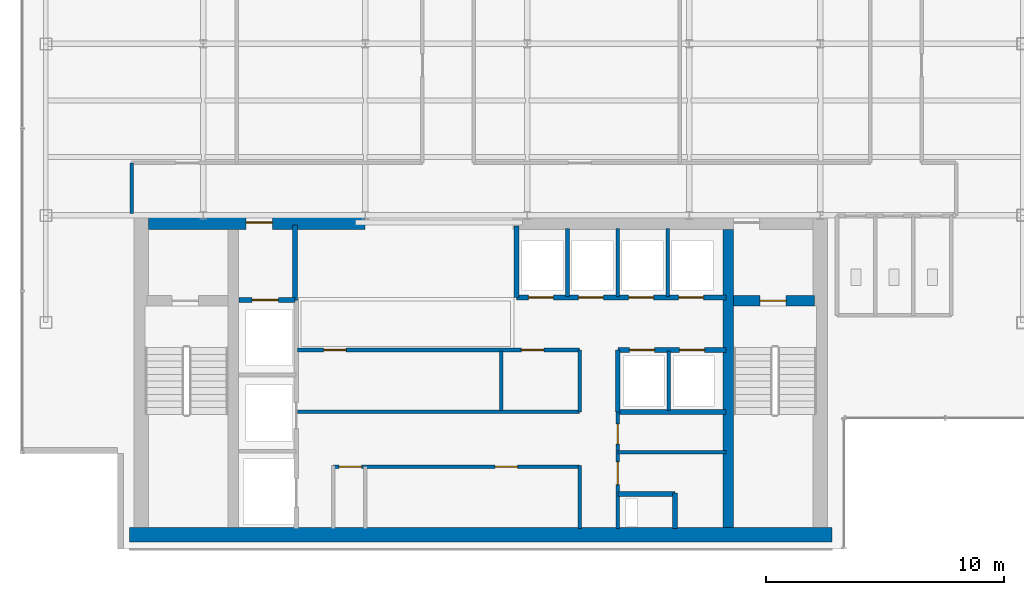
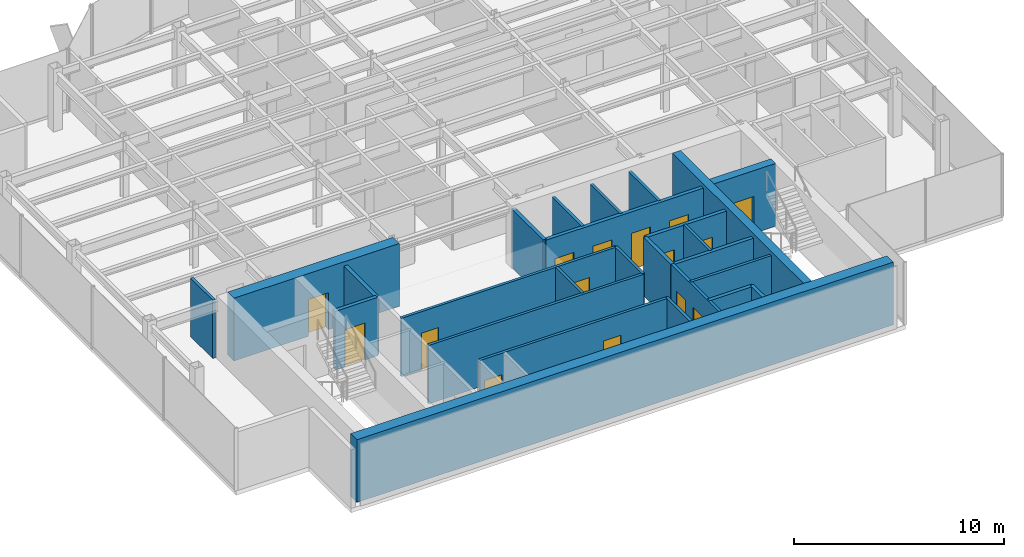
# One storey, part 17 of 22: 26 walls, 15 doors, 15 openings.
"""IFC4 building model written with IfcOpenShell, lengths in metres."""

from ifc_helpers import new_model, si_unit, derived_unit, direction, frame, frame_2d, origin, place, context, subcontext, project, spatial, rectangle, extrude, source, transform, mapped, material, layer, layer_set, type_object, element, fill, save


model = new_model("IFC4")

# Units and contexts
model_context = context("Model", 3, precision=1e-05, world=origin(), true_north=direction((0.0, 1.0)))
body_context = subcontext(model_context, "Body", "Model", "MODEL_VIEW")
ifc_project = project(units=[si_unit("LENGTHUNIT", "METRE"), si_unit("AREAUNIT", "SQUARE_METRE"), si_unit("VOLUMEUNIT", "CUBIC_METRE"), si_unit("PLANEANGLEUNIT", "RADIAN"), si_unit("MASSUNIT", "GRAM", prefix="KILO"), derived_unit("THERMALTRANSMITTANCEUNIT", [(si_unit("POWERUNIT", "WATT"), 1), (si_unit("LENGTHUNIT", "METRE"), -2), (si_unit("THERMODYNAMICTEMPERATUREUNIT", "KELVIN"), -1)])], contexts=[model_context])

# Site, building, storey
site_placement = place(None, origin())
site = spatial("IfcSite", under=ifc_project, at=site_placement, CompositionType="ELEMENT")
building_placement = place(site_placement, origin())
building = spatial("IfcBuilding", under=site, at=building_placement, Name="Skarnbrae Concourse Arena and Tower", CompositionType="ELEMENT")
storey_placement = place(building_placement, frame((0.0, 0.0, 258.800048828125)))
storey = spatial("IfcBuildingStorey", under=building, at=storey_placement, Name="L67", CompositionType="ELEMENT", Elevation=258.800048828125)

# Wall, opening, door
ifc_material_1 = material(Name="Concrete 50 MPa (C50/60)", Category="concrete")
ifc_layer_1 = layer(ifc_material_1, 0.449951171875)
ifc_layer_set_1 = layer_set([ifc_layer_1], Name="Concrete 50 MPa (C50/60)")
wall_type_1 = type_object("IfcWallType", Name="WALL-CORE-450-C50", PredefinedType="SHEAR", material=ifc_layer_set_1)
shared_shape_1 = source(origin(), body_context, "Body", "SweptSolid", [
    extrude(rectangle(XDim=3.389892578125, YDim=0.449951171875, at=frame_2d((1.69482421875, 0.0))), origin(), (0.0, 0.0, 1.0), 3.64990234375),
])
wall_1_placement = place(storey_placement, frame((29.860107421875, 10.419921875, 0.0), z_axis=(0.0, 0.0, 1.0), x_axis=(1.0, 0.0, 0.0)))
wall_1 = element("IfcWall", 1, at=wall_1_placement, inside=storey, type_object=wall_type_1, Name="L67 Rear core shear wall CW-ST2-N", PredefinedType="SHEAR", context=body_context, shape_type="MappedRepresentation", body=[
    mapped(shared_shape_1, transform((0.0, 0.0, 0.0))),
])
opening_1_placement = place(wall_1_placement, frame((1.10009765625, 0.0, 0.0)))
opening_1 = element("IfcOpeningElement", 2, at=opening_1_placement, cuts=wall_1, Name="Opening DT-03", PredefinedType="OPENING", context=body_context, shape_type="SweptSolid", body=[
    extrude(rectangle(XDim=1.10009765625, YDim=2.14990234375, at=frame_2d((0.550048828125, 1.074951171875))), frame((0.0, 0.23486328125, 0.0), z_axis=(0.0, -1.0, 0.0), x_axis=(1.0, 0.0, 0.0)), (0.0, 0.0, 1.0), 0.469970703125),
])
ifc_material_2 = material(Name="Steel CSA G40.21 350W", Category="steel")
door_type_1 = type_object("IfcDoorType", Name="DOOR-FIRE-1100-90M", OperationType="NOTDEFINED", PredefinedType="DOOR", material=ifc_material_2)
shared_shape_2 = source(origin(), body_context, "Body", "SweptSolid", [
    extrude(rectangle(XDim=1.10009765625, YDim=2.14990234375, at=frame_2d((0.550048828125, 1.074951171875))), frame((0.0, 0.02490234375, 0.0), z_axis=(0.0, -1.0, 0.0), x_axis=(1.0, 0.0, 0.0)), (0.0, 0.0, 1.0), 0.050048828125),
])
door_1_placement = place(opening_1_placement, frame((1.10009765625, 0.0, 0.0), z_axis=(0.0, 0.0, 1.0), x_axis=(-1.0, 0.0, 0.0)))
door_1 = element("IfcDoor", 3, at=door_1_placement, inside=storey, type_object=door_type_1, Name="D-2019 Stair ST-2 Door", OperationType="SINGLE_SWING_RIGHT", OverallHeight=2.14990234375, OverallWidth=1.10009765625, PredefinedType="DOOR", context=body_context, shape_type="MappedRepresentation", body=[
    mapped(shared_shape_2, transform((0.0, 0.0, 0.0))),
])
fill(opening_1, door_1)

# Wall
ifc_layer_2 = layer(ifc_material_1, 0.60009765625)
ifc_layer_set_2 = layer_set([ifc_layer_2], Name="Concrete 50 MPa (C50/60)")
wall_type_2 = type_object("IfcWallType", Name="WALL-CORE-600-C50", PredefinedType="SHEAR", material=ifc_layer_set_2)
shared_shape_3 = source(origin(), body_context, "Body", "SweptSolid", [
    extrude(rectangle(XDim=29.5, YDim=0.60009765625, at=frame_2d((14.75, 0.0))), origin(), (0.0, 0.0, 1.0), 3.64990234375),
])
wall_2_placement = place(storey_placement, frame((4.5, 0.60009765625, 0.0), z_axis=(0.0, 0.0, 1.0), x_axis=(1.0, 0.0, 0.0)))
element("IfcWall", 4, at=wall_2_placement, inside=storey, type_object=wall_type_2, Name="L67 Rear core shear wall CW-S", PredefinedType="SHEAR", context=body_context, shape_type="MappedRepresentation", body=[
    mapped(shared_shape_3, transform((0.0, 0.0, 0.0))),
])

# Wall, opening, door
shared_shape_4 = source(origin(), body_context, "Body", "SweptSolid", [
    extrude(rectangle(XDim=9.099853515625, YDim=0.60009765625, at=frame_2d((4.5498046875, 0.0))), origin(), (0.0, 0.0, 1.0), 3.64990234375),
])
wall_3_placement = place(storey_placement, frame((5.300048828125, 13.699951171875, 0.0), z_axis=(0.0, 0.0, 1.0), x_axis=(1.0, 0.0, 0.0)))
wall_3 = element("IfcWall", 5, at=wall_3_placement, inside=storey, type_object=wall_type_2, Name="L67 Rear core shear wall CW-NW", PredefinedType="SHEAR", context=body_context, shape_type="MappedRepresentation", body=[
    mapped(shared_shape_4, transform((0.0, 0.0, 0.0))),
])
opening_2_placement = place(wall_3_placement, frame((4.10009765625, 0.0, 0.0)))
opening_2 = element("IfcOpeningElement", 6, at=opening_2_placement, cuts=wall_3, Name="Opening DT-03", PredefinedType="OPENING", context=body_context, shape_type="SweptSolid", body=[
    extrude(rectangle(XDim=1.10009765625, YDim=2.14990234375, at=frame_2d((0.550048828125, 1.074951171875))), frame((0.0, 0.31005859375, 0.0), z_axis=(0.0, -1.0, 0.0), x_axis=(1.0, 0.0, 0.0)), (0.0, 0.0, 1.0), 0.6201171875),
])
door_2_placement = place(opening_2_placement, origin())
door_2 = element("IfcDoor", 7, at=door_2_placement, inside=storey, type_object=door_type_1, Name="D-2020 Firefighting Lobby Exit Door", OperationType="SINGLE_SWING_RIGHT", OverallHeight=2.14990234375, OverallWidth=1.10009765625, PredefinedType="DOOR", context=body_context, shape_type="MappedRepresentation", body=[
    mapped(shared_shape_2, transform((0.0, 0.0, 0.0))),
])
fill(opening_2, door_2)

# Walls
shared_shape_5 = source(origin(), body_context, "Body", "SweptSolid", [
    extrude(rectangle(XDim=12.5, YDim=0.449951171875, at=frame_2d((6.25, 0.0))), origin(), (0.0, 0.0, 1.0), 3.64990234375),
])
wall_4_placement = place(storey_placement, frame((29.635009765625, 0.89990234375, 0.0), z_axis=(0.0, 0.0, 1.0), x_axis=(0.0, 1.0, 0.0)))
element("IfcWall", 8, at=wall_4_placement, inside=storey, type_object=wall_type_1, Name="L67 Rear core shear wall CW-WEB-E", PredefinedType="SHEAR", context=body_context, shape_type="MappedRepresentation", body=[
    mapped(shared_shape_5, transform((0.0, 0.0, 0.0))),
])
ifc_material_3 = material(Name="Gypsum board on cold-formed steel studs", Category="steel")
ifc_layer_3 = layer(ifc_material_3, 0.199951171875)
ifc_layer_set_3 = layer_set([ifc_layer_3], Name="Gypsum board on cold-formed steel studs")
wall_type_3 = type_object("IfcWallType", Name="WALL-PART-200-2HR", PredefinedType="PARTITIONING", material=ifc_layer_set_3)
shared_shape_6 = source(origin(), body_context, "Body", "SweptSolid", [
    extrude(rectangle(XDim=3.18017578125, YDim=0.199951171875, at=frame_2d((1.590087890625, 0.0))), origin(), (0.0, 0.0, 1.0), 3.39990234375),
])
wall_5_placement = place(storey_placement, frame((11.449951171875, 10.419921875, 0.0), z_axis=(0.0, 0.0, 1.0), x_axis=(0.0, 1.0, 0.0)))
element("IfcWall", 9, at=wall_5_placement, inside=storey, type_object=wall_type_3, Name="L67 Interior partition wall W-L67-FFL-E", PredefinedType="PARTITIONING", context=body_context, shape_type="MappedRepresentation", body=[
    mapped(shared_shape_6, transform((0.0, 0.0, 0.0))),
])

# Wall, opening, door
shared_shape_7 = source(origin(), body_context, "Body", "SweptSolid", [
    extrude(rectangle(XDim=2.349853515625, YDim=0.199951171875, at=frame_2d((1.1748046875, 0.0))), origin(), (0.0, 0.0, 1.0), 3.39990234375),
])
wall_6_placement = place(storey_placement, frame((9.10009765625, 10.449951171875, 0.0), z_axis=(0.0, 0.0, 1.0), x_axis=(1.0, 0.0, 0.0)))
wall_6 = element("IfcWall", 10, at=wall_6_placement, inside=storey, type_object=wall_type_3, Name="L67 Interior partition wall W-L67-FL1-N", PredefinedType="PARTITIONING", context=body_context, shape_type="MappedRepresentation", body=[
    mapped(shared_shape_7, transform((0.0, 0.0, 0.0))),
])
opening_3_placement = place(wall_6_placement, frame((0.550048828125, 0.0, 0.0)))
opening_3 = element("IfcOpeningElement", 11, at=opening_3_placement, cuts=wall_6, Name="Opening LD-01", PredefinedType="OPENING", context=body_context, shape_type="SweptSolid", body=[
    extrude(rectangle(XDim=1.10009765625, YDim=2.14990234375, at=frame_2d((0.550048828125, 1.074951171875))), frame((0.0, 0.10986328125, 0.0), z_axis=(0.0, -1.0, 0.0), x_axis=(1.0, 0.0, 0.0)), (0.0, 0.0, 1.0), 0.219970703125),
])
door_type_2 = type_object("IfcDoorType", Name="DOOR-LIFT-SLIDE-1100", OperationType="SLIDING_TO_LEFT", PredefinedType="DOOR", material=ifc_material_2)
door_3_placement = place(opening_3_placement, origin())
door_3 = element("IfcDoor", 12, at=door_3_placement, inside=storey, type_object=door_type_2, Name="D-2022 Firefighting Lift Landing Door FL-01", OperationType="SLIDING_TO_LEFT", OverallHeight=2.14990234375, OverallWidth=1.10009765625, PredefinedType="DOOR", context=body_context, shape_type="MappedRepresentation", body=[
    mapped(shared_shape_2, transform((0.0, 0.0, 0.0))),
])
fill(opening_3, door_3)

# Walls
shared_shape_8 = source(origin(), body_context, "Body", "SweptSolid", [
    extrude(rectangle(XDim=2.60009765625, YDim=0.199951171875, at=frame_2d((1.300048828125, 0.0))), origin(), (0.0, 0.0, 1.0), 3.39990234375),
])
wall_7_placement = place(storey_placement, frame((25.0, 5.75, 0.0), z_axis=(0.0, 0.0, 1.0), x_axis=(0.0, 1.0, 0.0)))
element("IfcWall", 13, at=wall_7_placement, inside=storey, type_object=wall_type_3, Name="L67 Interior partition wall W-L67-B3S-W", PredefinedType="PARTITIONING", context=body_context, shape_type="MappedRepresentation", body=[
    mapped(shared_shape_8, transform((0.0, 0.0, 0.0))),
])
ifc_layer_4 = layer(ifc_material_3, 0.14990234375)
ifc_layer_set_4 = layer_set([ifc_layer_4], Name="Gypsum board on cold-formed steel studs")
wall_type_4 = type_object("IfcWallType", Name="WALL-PART-150", PredefinedType="PARTITIONING", material=ifc_layer_set_4)
shared_shape_9 = source(origin(), body_context, "Body", "SweptSolid", [
    extrude(rectangle(XDim=2.5, YDim=0.14990234375, at=frame_2d((1.25, 0.0))), origin(), (0.0, 0.0, 1.0), 3.39990234375),
])
for number, where, z_axis, x_axis, name in (
    (14, (20.10009765625, 5.800048828125, 0.0), (0.0, 0.0, 1.0), (0.0, 1.0, 0.0), "L67 Interior partition wall W-L67-B2M-MID"),
    (15, (27.139892578125, 5.800048828125, 0.0), (0.0, 0.0, 1.0), (0.0, 1.0, 0.0), "L67 Interior partition wall W-L67-B3S-P1"),
):
    element("IfcWall", number, at=place(storey_placement, frame(where, z_axis=z_axis, x_axis=x_axis)), inside=storey, type_object=wall_type_4, Name=name, PredefinedType="PARTITIONING", context=body_context, shape_type="MappedRepresentation", body=[
        mapped(shared_shape_9, transform((0.0, 0.0, 0.0))),
    ])

# Wall, openings, doors
shared_shape_10 = source(origin(), body_context, "Body", "SweptSolid", [
    extrude(rectangle(XDim=8.800048828125, YDim=0.199951171875, at=frame_2d((4.39990234375, 0.0))), origin(), (0.0, 0.0, 1.0), 3.39990234375),
])
wall_8_placement = place(storey_placement, frame((20.75, 10.550048828125, 0.0), z_axis=(0.0, 0.0, 1.0), x_axis=(1.0, 0.0, 0.0)))
wall_8 = element("IfcWall", 16, at=wall_8_placement, inside=storey, type_object=wall_type_3, Name="L67 Interior partition wall W-L67-B3N-S", PredefinedType="PARTITIONING", context=body_context, shape_type="MappedRepresentation", body=[
    mapped(shared_shape_10, transform((0.0, 0.0, 0.0))),
])
opening_4_placement = place(wall_8_placement, frame((0.5, 0.0, 0.0)))
opening_4 = element("IfcOpeningElement", 17, at=opening_4_placement, cuts=wall_8, Name="Opening LD-04", PredefinedType="OPENING", context=body_context, shape_type="SweptSolid", body=[
    extrude(rectangle(XDim=1.050048828125, YDim=2.14990234375, at=frame_2d((0.52490234375, 1.074951171875))), frame((0.0, 0.10986328125, 0.0), z_axis=(0.0, -1.0, 0.0), x_axis=(1.0, 0.0, 0.0)), (0.0, 0.0, 1.0), 0.219970703125),
])
opening_5_placement = place(wall_8_placement, frame((2.60009765625, 0.0, 0.0)))
opening_5 = element("IfcOpeningElement", 18, at=opening_5_placement, cuts=wall_8, Name="Opening LD-04", PredefinedType="OPENING", context=body_context, shape_type="SweptSolid", body=[
    extrude(rectangle(XDim=1.050048828125, YDim=2.14990234375, at=frame_2d((0.52490234375, 1.074951171875))), frame((0.0, 0.10986328125, 0.0), z_axis=(0.0, -1.0, 0.0), x_axis=(1.0, 0.0, 0.0)), (0.0, 0.0, 1.0), 0.219970703125),
])
opening_6_placement = place(wall_8_placement, frame((4.699951171875, 0.0, 0.0)))
opening_6 = element("IfcOpeningElement", 19, at=opening_6_placement, cuts=wall_8, Name="Opening LD-04", PredefinedType="OPENING", context=body_context, shape_type="SweptSolid", body=[
    extrude(rectangle(XDim=1.050048828125, YDim=2.14990234375, at=frame_2d((0.52490234375, 1.074951171875))), frame((0.0, 0.10986328125, 0.0), z_axis=(0.0, -1.0, 0.0), x_axis=(1.0, 0.0, 0.0)), (0.0, 0.0, 1.0), 0.219970703125),
])
opening_7_placement = place(wall_8_placement, frame((6.800048828125, 0.0, 0.0)))
opening_7 = element("IfcOpeningElement", 20, at=opening_7_placement, cuts=wall_8, Name="Opening LD-04", PredefinedType="OPENING", context=body_context, shape_type="SweptSolid", body=[
    extrude(rectangle(XDim=1.050048828125, YDim=2.14990234375, at=frame_2d((0.52490234375, 1.074951171875))), frame((0.0, 0.10986328125, 0.0), z_axis=(0.0, -1.0, 0.0), x_axis=(1.0, 0.0, 0.0)), (0.0, 0.0, 1.0), 0.219970703125),
])
ifc_material_4 = material(Name="Bronze anodised aluminium 6063-T6", Category="aluminium")
door_type_3 = type_object("IfcDoorType", Name="DOOR-LIFT-SLIDE-1050H", OperationType="SLIDING_TO_LEFT", PredefinedType="DOOR", material=ifc_material_4)
shared_shape_11 = source(origin(), body_context, "Body", "SweptSolid", [
    extrude(rectangle(XDim=1.050048828125, YDim=2.14990234375, at=frame_2d((0.52490234375, 1.074951171875))), frame((0.0, 0.02490234375, 0.0), z_axis=(0.0, -1.0, 0.0), x_axis=(1.0, 0.0, 0.0)), (0.0, 0.0, 1.0), 0.050048828125),
])
door_4_placement = place(opening_4_placement, frame((1.050048828125, 0.0, 0.0), z_axis=(0.0, 0.0, 1.0), x_axis=(-1.0, 0.0, 0.0)))
door_4 = element("IfcDoor", 21, at=door_4_placement, inside=storey, type_object=door_type_3, Name="D-2029 Passenger Lift Landing Door PL-3A", OperationType="SLIDING_TO_LEFT", OverallHeight=2.14990234375, OverallWidth=1.050048828125, PredefinedType="DOOR", context=body_context, shape_type="MappedRepresentation", body=[
    mapped(shared_shape_11, transform((0.0, 0.0, 0.0))),
])
fill(opening_4, door_4)
door_5_placement = place(opening_5_placement, frame((1.050048828125, 0.0, 0.0), z_axis=(0.0, 0.0, 1.0), x_axis=(-1.0, 0.0, 0.0)))
door_5 = element("IfcDoor", 22, at=door_5_placement, inside=storey, type_object=door_type_3, Name="D-2030 Passenger Lift Landing Door PL-3B", OperationType="SLIDING_TO_LEFT", OverallHeight=2.14990234375, OverallWidth=1.050048828125, PredefinedType="DOOR", context=body_context, shape_type="MappedRepresentation", body=[
    mapped(shared_shape_11, transform((0.0, 0.0, 0.0))),
])
fill(opening_5, door_5)
door_6_placement = place(opening_6_placement, frame((1.050048828125, 0.0, 0.0), z_axis=(0.0, 0.0, 1.0), x_axis=(-1.0, 0.0, 0.0)))
door_6 = element("IfcDoor", 23, at=door_6_placement, inside=storey, type_object=door_type_3, Name="D-2031 Passenger Lift Landing Door PL-3C", OperationType="SLIDING_TO_LEFT", OverallHeight=2.14990234375, OverallWidth=1.050048828125, PredefinedType="DOOR", context=body_context, shape_type="MappedRepresentation", body=[
    mapped(shared_shape_11, transform((0.0, 0.0, 0.0))),
])
fill(opening_6, door_6)
door_7_placement = place(opening_7_placement, frame((1.050048828125, 0.0, 0.0), z_axis=(0.0, 0.0, 1.0), x_axis=(-1.0, 0.0, 0.0)))
door_7 = element("IfcDoor", 24, at=door_7_placement, inside=storey, type_object=door_type_3, Name="D-2032 Passenger Lift Landing Door PL-3D", OperationType="SLIDING_TO_LEFT", OverallHeight=2.14990234375, OverallWidth=1.050048828125, PredefinedType="DOOR", context=body_context, shape_type="MappedRepresentation", body=[
    mapped(shared_shape_11, transform((0.0, 0.0, 0.0))),
])
fill(opening_7, door_7)

# Walls
shared_shape_12 = source(origin(), body_context, "Body", "SweptSolid", [
    extrude(rectangle(XDim=3.0, YDim=0.199951171875, at=frame_2d((1.5, 0.0))), origin(), (0.0, 0.0, 1.0), 3.39990234375),
])
wall_9_placement = place(storey_placement, frame((20.75, 10.550048828125, 0.0), z_axis=(0.0, 0.0, 1.0), x_axis=(0.0, 1.0, 0.0)))
element("IfcWall", 25, at=wall_9_placement, inside=storey, type_object=wall_type_3, Name="L67 Interior partition wall W-L67-B3N-W", PredefinedType="PARTITIONING", context=body_context, shape_type="MappedRepresentation", body=[
    mapped(shared_shape_12, transform((0.0, 0.0, 0.0))),
])
shared_shape_13 = source(origin(), body_context, "Body", "SweptSolid", [
    extrude(rectangle(XDim=2.849853515625, YDim=0.14990234375, at=frame_2d((1.4248046875, 0.0))), origin(), (0.0, 0.0, 1.0), 3.39990234375),
])
for number, where, z_axis, x_axis, name in (
    (26, (22.889892578125, 10.60009765625, 0.0), (0.0, 0.0, 1.0), (0.0, 1.0, 0.0), "L67 Interior partition wall W-L67-B3N-P1"),
    (27, (24.989990234375, 10.60009765625, 0.0), (0.0, 0.0, 1.0), (0.0, 1.0, 0.0), "L67 Interior partition wall W-L67-B3N-P2"),
    (28, (27.090087890625, 10.60009765625, 0.0), (0.0, 0.0, 1.0), (0.0, 1.0, 0.0), "L67 Interior partition wall W-L67-B3N-P3"),
):
    element("IfcWall", number, at=place(storey_placement, frame(where, z_axis=z_axis, x_axis=x_axis)), inside=storey, type_object=wall_type_4, Name=name, PredefinedType="PARTITIONING", context=body_context, shape_type="MappedRepresentation", body=[
        mapped(shared_shape_13, transform((0.0, 0.0, 0.0))),
    ])

# Wall, openings, doors
shared_shape_14 = source(origin(), body_context, "Body", "SweptSolid", [
    extrude(rectangle(XDim=4.550048828125, YDim=0.199951171875, at=frame_2d((2.27490234375, 0.0))), origin(), (0.0, 0.0, 1.0), 3.39990234375),
])
wall_10_placement = place(storey_placement, frame((25.0, 8.35009765625, 0.0), z_axis=(0.0, 0.0, 1.0), x_axis=(1.0, 0.0, 0.0)))
wall_10 = element("IfcWall", 29, at=wall_10_placement, inside=storey, type_object=wall_type_3, Name="L67 Interior partition wall W-L67-B3S-N", PredefinedType="PARTITIONING", context=body_context, shape_type="MappedRepresentation", body=[
    mapped(shared_shape_14, transform((0.0, 0.0, 0.0))),
])
opening_8_placement = place(wall_10_placement, frame((0.5, 0.0, 0.0)))
opening_8 = element("IfcOpeningElement", 30, at=opening_8_placement, cuts=wall_10, Name="Opening LD-04", PredefinedType="OPENING", context=body_context, shape_type="SweptSolid", body=[
    extrude(rectangle(XDim=1.050048828125, YDim=2.14990234375, at=frame_2d((0.52490234375, 1.074951171875))), frame((0.0, 0.10986328125, 0.0), z_axis=(0.0, -1.0, 0.0), x_axis=(1.0, 0.0, 0.0)), (0.0, 0.0, 1.0), 0.219970703125),
])
opening_9_placement = place(wall_10_placement, frame((2.60009765625, 0.0, 0.0)))
opening_9 = element("IfcOpeningElement", 31, at=opening_9_placement, cuts=wall_10, Name="Opening LD-04", PredefinedType="OPENING", context=body_context, shape_type="SweptSolid", body=[
    extrude(rectangle(XDim=1.050048828125, YDim=2.14990234375, at=frame_2d((0.52490234375, 1.074951171875))), frame((0.0, 0.10986328125, 0.0), z_axis=(0.0, -1.0, 0.0), x_axis=(1.0, 0.0, 0.0)), (0.0, 0.0, 1.0), 0.219970703125),
])
door_8_placement = place(opening_8_placement, origin())
door_8 = element("IfcDoor", 32, at=door_8_placement, inside=storey, type_object=door_type_3, Name="D-2033 Passenger Lift Landing Door PL-3E", OperationType="SLIDING_TO_LEFT", OverallHeight=2.14990234375, OverallWidth=1.050048828125, PredefinedType="DOOR", context=body_context, shape_type="MappedRepresentation", body=[
    mapped(shared_shape_11, transform((0.0, 0.0, 0.0))),
])
fill(opening_8, door_8)
door_9_placement = place(opening_9_placement, origin())
door_9 = element("IfcDoor", 33, at=door_9_placement, inside=storey, type_object=door_type_3, Name="D-2034 Passenger Lift Landing Door PL-3F", OperationType="SLIDING_TO_LEFT", OverallHeight=2.14990234375, OverallWidth=1.050048828125, PredefinedType="DOOR", context=body_context, shape_type="MappedRepresentation", body=[
    mapped(shared_shape_11, transform((0.0, 0.0, 0.0))),
])
fill(opening_9, door_9)

# Wall
wall_11_placement = place(storey_placement, frame((25.0, 5.75, 0.0), z_axis=(0.0, 0.0, 1.0), x_axis=(1.0, 0.0, 0.0)))
element("IfcWall", 34, at=wall_11_placement, inside=storey, type_object=wall_type_3, Name="L67 Interior partition wall W-L67-B3S-S", PredefinedType="PARTITIONING", context=body_context, shape_type="MappedRepresentation", body=[
    mapped(shared_shape_14, transform((0.0, 0.0, 0.0))),
])

# Wall, openings, doors
ifc_layer_5 = layer(ifc_material_3, 0.14990234375)
ifc_layer_set_5 = layer_set([ifc_layer_5], Name="Gypsum board on cold-formed steel studs")
wall_type_5 = type_object("IfcWallType", Name="WALL-PART-150-1HR", PredefinedType="PARTITIONING", material=ifc_layer_set_5)
shared_shape_15 = source(origin(), body_context, "Body", "SweptSolid", [
    extrude(rectangle(XDim=4.89990234375, YDim=0.14990234375, at=frame_2d((2.449951171875, 0.0))), origin(), (0.0, 0.0, 1.0), 3.39990234375),
])
wall_12_placement = place(storey_placement, frame((25.0, 0.85009765625, 0.0), z_axis=(0.0, 0.0, 1.0), x_axis=(0.0, 1.0, 0.0)))
wall_12 = element("IfcWall", 35, at=wall_12_placement, inside=storey, type_object=wall_type_5, Name="L67 Interior partition wall W-L67-CSV-W", PredefinedType="PARTITIONING", context=body_context, shape_type="MappedRepresentation", body=[
    mapped(shared_shape_15, transform((0.0, 0.0, 0.0))),
])
opening_10_placement = place(wall_12_placement, frame((1.85009765625, 0.0, 0.0)))
opening_10 = element("IfcOpeningElement", 36, at=opening_10_placement, cuts=wall_12, Name="Opening DT-04", PredefinedType="OPENING", context=body_context, shape_type="SweptSolid", body=[
    extrude(rectangle(XDim=0.949951171875, YDim=2.14990234375, at=frame_2d((0.47509765625, 1.074951171875))), frame((0.0, 0.0849609375, 0.0), z_axis=(0.0, -1.0, 0.0), x_axis=(1.0, 0.0, 0.0)), (0.0, 0.0, 1.0), 0.169921875),
])
opening_11_placement = place(wall_12_placement, frame((3.550048828125, 0.0, 0.0)))
opening_11 = element("IfcOpeningElement", 37, at=opening_11_placement, cuts=wall_12, Name="Opening DT-08", PredefinedType="OPENING", context=body_context, shape_type="SweptSolid", body=[
    extrude(rectangle(XDim=0.85009765625, YDim=2.14990234375, at=frame_2d((0.425048828125, 1.074951171875))), frame((0.0, 0.0849609375, 0.0), z_axis=(0.0, -1.0, 0.0), x_axis=(1.0, 0.0, 0.0)), (0.0, 0.0, 1.0), 0.169921875),
])
door_type_4 = type_object("IfcDoorType", Name="DOOR-INT-950-45M", OperationType="NOTDEFINED", PredefinedType="DOOR", material=ifc_material_2)
shared_shape_16 = source(origin(), body_context, "Body", "SweptSolid", [
    extrude(rectangle(XDim=0.949951171875, YDim=2.14990234375, at=frame_2d((0.47509765625, 1.074951171875))), frame((0.0, 0.02490234375, 0.0), z_axis=(0.0, -1.0, 0.0), x_axis=(1.0, 0.0, 0.0)), (0.0, 0.0, 1.0), 0.050048828125),
])
door_10_placement = place(opening_10_placement, origin())
door_10 = element("IfcDoor", 38, at=door_10_placement, inside=storey, type_object=door_type_4, Name="D-2035 Core Staff WC Door", OperationType="SINGLE_SWING_RIGHT", OverallHeight=2.14990234375, OverallWidth=0.949951171875, PredefinedType="DOOR", context=body_context, shape_type="MappedRepresentation", body=[
    mapped(shared_shape_16, transform((0.0, 0.0, 0.0))),
])
fill(opening_10, door_10)
door_type_5 = type_object("IfcDoorType", Name="DOOR-INT-850-45M", OperationType="NOTDEFINED", PredefinedType="DOOR", material=ifc_material_2)
shared_shape_17 = source(origin(), body_context, "Body", "SweptSolid", [
    extrude(rectangle(XDim=0.85009765625, YDim=2.14990234375, at=frame_2d((0.425048828125, 1.074951171875))), frame((0.0, 0.02490234375, 0.0), z_axis=(0.0, -1.0, 0.0), x_axis=(1.0, 0.0, 0.0)), (0.0, 0.0, 1.0), 0.050048828125),
])
door_11_placement = place(opening_11_placement, origin())
door_11 = element("IfcDoor", 39, at=door_11_placement, inside=storey, type_object=door_type_5, Name="D-2036 IT Patch Room Door", OperationType="SINGLE_SWING_LEFT", OverallHeight=2.14990234375, OverallWidth=0.85009765625, PredefinedType="DOOR", context=body_context, shape_type="MappedRepresentation", body=[
    mapped(shared_shape_17, transform((0.0, 0.0, 0.0))),
])
fill(opening_11, door_11)

# Walls
shared_shape_18 = source(origin(), body_context, "Body", "SweptSolid", [
    extrude(rectangle(XDim=2.39990234375, YDim=0.199951171875, at=frame_2d((1.199951171875, 0.0))), origin(), (0.0, 0.0, 1.0), 3.39990234375),
])
wall_13_placement = place(storey_placement, frame((25.0, 2.300048828125, 0.0), z_axis=(0.0, 0.0, 1.0), x_axis=(1.0, 0.0, 0.0)))
element("IfcWall", 40, at=wall_13_placement, inside=storey, type_object=wall_type_3, Name="L67 Interior partition wall W-L67-MEP-N", PredefinedType="PARTITIONING", context=body_context, shape_type="MappedRepresentation", body=[
    mapped(shared_shape_18, transform((0.0, 0.0, 0.0))),
])
shared_shape_19 = source(origin(), body_context, "Body", "SweptSolid", [
    extrude(rectangle(XDim=1.5, YDim=0.199951171875, at=frame_2d((0.75, 0.0))), origin(), (0.0, 0.0, 1.0), 3.39990234375),
])
wall_14_placement = place(storey_placement, frame((27.39990234375, 0.85009765625, 0.0), z_axis=(0.0, 0.0, 1.0), x_axis=(0.0, 1.0, 0.0)))
element("IfcWall", 41, at=wall_14_placement, inside=storey, type_object=wall_type_3, Name="L67 Interior partition wall W-L67-MEP-E", PredefinedType="PARTITIONING", context=body_context, shape_type="MappedRepresentation", body=[
    mapped(shared_shape_19, transform((0.0, 0.0, 0.0))),
])
shared_shape_20 = source(origin(), body_context, "Body", "SweptSolid", [
    extrude(rectangle(XDim=4.550048828125, YDim=0.14990234375, at=frame_2d((2.27490234375, 0.0))), origin(), (0.0, 0.0, 1.0), 3.39990234375),
])
wall_15_placement = place(storey_placement, frame((25.0, 4.050048828125, 0.0), z_axis=(0.0, 0.0, 1.0), x_axis=(1.0, 0.0, 0.0)))
element("IfcWall", 42, at=wall_15_placement, inside=storey, type_object=wall_type_4, Name="L67 Interior partition wall W-L67-CSV-H2", PredefinedType="PARTITIONING", context=body_context, shape_type="MappedRepresentation", body=[
    mapped(shared_shape_20, transform((0.0, 0.0, 0.0))),
])
shared_shape_21 = source(origin(), body_context, "Body", "SweptSolid", [
    extrude(rectangle(XDim=2.64990234375, YDim=0.14990234375, at=frame_2d((1.324951171875, 0.0))), origin(), (0.0, 0.0, 1.0), 3.39990234375),
])
wall_16_placement = place(storey_placement, frame((23.39990234375, 0.85009765625, 0.0), z_axis=(0.0, 0.0, 1.0), x_axis=(0.0, 1.0, 0.0)))
element("IfcWall", 43, at=wall_16_placement, inside=storey, type_object=wall_type_5, Name="L67 Interior partition wall W-L67-B1M-E", PredefinedType="PARTITIONING", context=body_context, shape_type="MappedRepresentation", body=[
    mapped(shared_shape_21, transform((0.0, 0.0, 0.0))),
])

# Wall, openings, doors
shared_shape_22 = source(origin(), body_context, "Body", "SweptSolid", [
    extrude(rectangle(XDim=10.349853515625, YDim=0.14990234375, at=frame_2d((5.1748046875, 0.0))), origin(), (0.0, 0.0, 1.0), 3.39990234375),
])
wall_17_placement = place(storey_placement, frame((13.050048828125, 3.449951171875, 0.0), z_axis=(0.0, 0.0, 1.0), x_axis=(1.0, 0.0, 0.0)))
wall_17 = element("IfcWall", 44, at=wall_17_placement, inside=storey, type_object=wall_type_5, Name="L67 Interior partition wall W-L67-B1M-N", PredefinedType="PARTITIONING", context=body_context, shape_type="MappedRepresentation", body=[
    mapped(shared_shape_22, transform((0.0, 0.0, 0.0))),
])
opening_12_placement = place(wall_17_placement, frame((0.25, 0.0, 0.0)))
opening_12 = element("IfcOpeningElement", 45, at=opening_12_placement, cuts=wall_17, Name="Opening DT-04", PredefinedType="OPENING", context=body_context, shape_type="SweptSolid", body=[
    extrude(rectangle(XDim=0.949951171875, YDim=2.14990234375, at=frame_2d((0.47509765625, 1.074951171875))), frame((0.0, 0.0849609375, 0.0), z_axis=(0.0, -1.0, 0.0), x_axis=(1.0, 0.0, 0.0)), (0.0, 0.0, 1.0), 0.169921875),
])
opening_13_placement = place(wall_17_placement, frame((6.800048828125, 0.0, 0.0)))
opening_13 = element("IfcOpeningElement", 46, at=opening_13_placement, cuts=wall_17, Name="Opening DT-04", PredefinedType="OPENING", context=body_context, shape_type="SweptSolid", body=[
    extrude(rectangle(XDim=0.949951171875, YDim=2.14990234375, at=frame_2d((0.47509765625, 1.074951171875))), frame((0.0, 0.0849609375, 0.0), z_axis=(0.0, -1.0, 0.0), x_axis=(1.0, 0.0, 0.0)), (0.0, 0.0, 1.0), 0.169921875),
])
door_12_placement = place(opening_12_placement, origin())
door_12 = element("IfcDoor", 47, at=door_12_placement, inside=storey, type_object=door_type_4, Name="D-2025 First Aid Room Door", OperationType="SINGLE_SWING_LEFT", OverallHeight=2.14990234375, OverallWidth=0.949951171875, PredefinedType="DOOR", context=body_context, shape_type="MappedRepresentation", body=[
    mapped(shared_shape_16, transform((0.0, 0.0, 0.0))),
])
fill(opening_12, door_12)
door_13_placement = place(opening_13_placement, origin())
door_13 = element("IfcDoor", 48, at=door_13_placement, inside=storey, type_object=door_type_4, Name="D-2026 Archive Room Door", OperationType="SINGLE_SWING_RIGHT", OverallHeight=2.14990234375, OverallWidth=0.949951171875, PredefinedType="DOOR", context=body_context, shape_type="MappedRepresentation", body=[
    mapped(shared_shape_16, transform((0.0, 0.0, 0.0))),
])
fill(opening_13, door_13)

# Walls
shared_shape_23 = source(origin(), body_context, "Body", "SweptSolid", [
    extrude(rectangle(XDim=2.119873046875, YDim=0.14990234375, at=frame_2d((1.06005859375, 0.0))), origin(), (0.0, 0.0, 1.0), 3.39990234375),
])
wall_18_placement = place(storey_placement, frame((4.60009765625, 14.080078125, 0.0), z_axis=(0.0, 0.0, 1.0), x_axis=(0.0, 1.0, 0.0)))
element("IfcWall", 49, at=wall_18_placement, inside=storey, type_object=wall_type_5, Name="L67 Interior partition wall W-L67-COR-01", PredefinedType="PARTITIONING", context=body_context, shape_type="MappedRepresentation", body=[
    mapped(shared_shape_23, transform((0.0, 0.0, 0.0))),
])
shared_shape_24 = source(origin(), body_context, "Body", "SweptSolid", [
    extrude(rectangle(XDim=11.849853515625, YDim=0.14990234375, at=frame_2d((5.9248046875, 0.0))), origin(), (0.0, 0.0, 1.0), 3.39990234375),
])
wall_19_placement = place(storey_placement, frame((11.550048828125, 5.75, 0.0), z_axis=(0.0, 0.0, 1.0), x_axis=(1.0, 0.0, 0.0)))
element("IfcWall", 50, at=wall_19_placement, inside=storey, type_object=wall_type_5, Name="L67 Interior partition wall W-L67-B2M-S", PredefinedType="PARTITIONING", context=body_context, shape_type="MappedRepresentation", body=[
    mapped(shared_shape_24, transform((0.0, 0.0, 0.0))),
])

# Wall, openings, doors
wall_20_placement = place(storey_placement, frame((11.550048828125, 8.35009765625, 0.0), z_axis=(0.0, 0.0, 1.0), x_axis=(1.0, 0.0, 0.0)))
wall_20 = element("IfcWall", 51, at=wall_20_placement, inside=storey, type_object=wall_type_5, Name="L67 Interior partition wall W-L67-B2M-N", PredefinedType="PARTITIONING", context=body_context, shape_type="MappedRepresentation", body=[
    mapped(shared_shape_24, transform((0.0, 0.0, 0.0))),
])
opening_14_placement = place(wall_20_placement, frame((1.10009765625, 0.0, 0.0)))
opening_14 = element("IfcOpeningElement", 52, at=opening_14_placement, cuts=wall_20, Name="Opening DT-04", PredefinedType="OPENING", context=body_context, shape_type="SweptSolid", body=[
    extrude(rectangle(XDim=0.949951171875, YDim=2.14990234375, at=frame_2d((0.47509765625, 1.074951171875))), frame((0.0, 0.0849609375, 0.0), z_axis=(0.0, -1.0, 0.0), x_axis=(1.0, 0.0, 0.0)), (0.0, 0.0, 1.0), 0.169921875),
])
opening_15_placement = place(wall_20_placement, frame((9.39990234375, 0.0, 0.0)))
opening_15 = element("IfcOpeningElement", 53, at=opening_15_placement, cuts=wall_20, Name="Opening DT-04", PredefinedType="OPENING", context=body_context, shape_type="SweptSolid", body=[
    extrude(rectangle(XDim=0.949951171875, YDim=2.14990234375, at=frame_2d((0.47509765625, 1.074951171875))), frame((0.0, 0.0849609375, 0.0), z_axis=(0.0, -1.0, 0.0), x_axis=(1.0, 0.0, 0.0)), (0.0, 0.0, 1.0), 0.169921875),
])
door_14_placement = place(opening_14_placement, origin())
door_14 = element("IfcDoor", 54, at=door_14_placement, inside=storey, type_object=door_type_4, Name="D-2027 High-Zone Data Door", OperationType="SINGLE_SWING_RIGHT", OverallHeight=2.14990234375, OverallWidth=0.949951171875, PredefinedType="DOOR", context=body_context, shape_type="MappedRepresentation", body=[
    mapped(shared_shape_16, transform((0.0, 0.0, 0.0))),
])
fill(opening_14, door_14)
door_15_placement = place(opening_15_placement, origin())
door_15 = element("IfcDoor", 55, at=door_15_placement, inside=storey, type_object=door_type_4, Name="D-2028 Reprographics Door", OperationType="SINGLE_SWING_LEFT", OverallHeight=2.14990234375, OverallWidth=0.949951171875, PredefinedType="DOOR", context=body_context, shape_type="MappedRepresentation", body=[
    mapped(shared_shape_16, transform((0.0, 0.0, 0.0))),
])
fill(opening_15, door_15)

# Wall
shared_shape_25 = source(origin(), body_context, "Body", "SweptSolid", [
    extrude(rectangle(XDim=2.60009765625, YDim=0.14990234375, at=frame_2d((1.300048828125, 0.0))), origin(), (0.0, 0.0, 1.0), 3.39990234375),
])
wall_21_placement = place(storey_placement, frame((23.39990234375, 5.75, 0.0), z_axis=(0.0, 0.0, 1.0), x_axis=(0.0, 1.0, 0.0)))
element("IfcWall", 56, at=wall_21_placement, inside=storey, type_object=wall_type_5, Name="L67 Interior partition wall W-L67-B2M-E", PredefinedType="PARTITIONING", context=body_context, shape_type="MappedRepresentation", body=[
    mapped(shared_shape_25, transform((0.0, 0.0, 0.0))),
])

save(model, "model.ifc")
